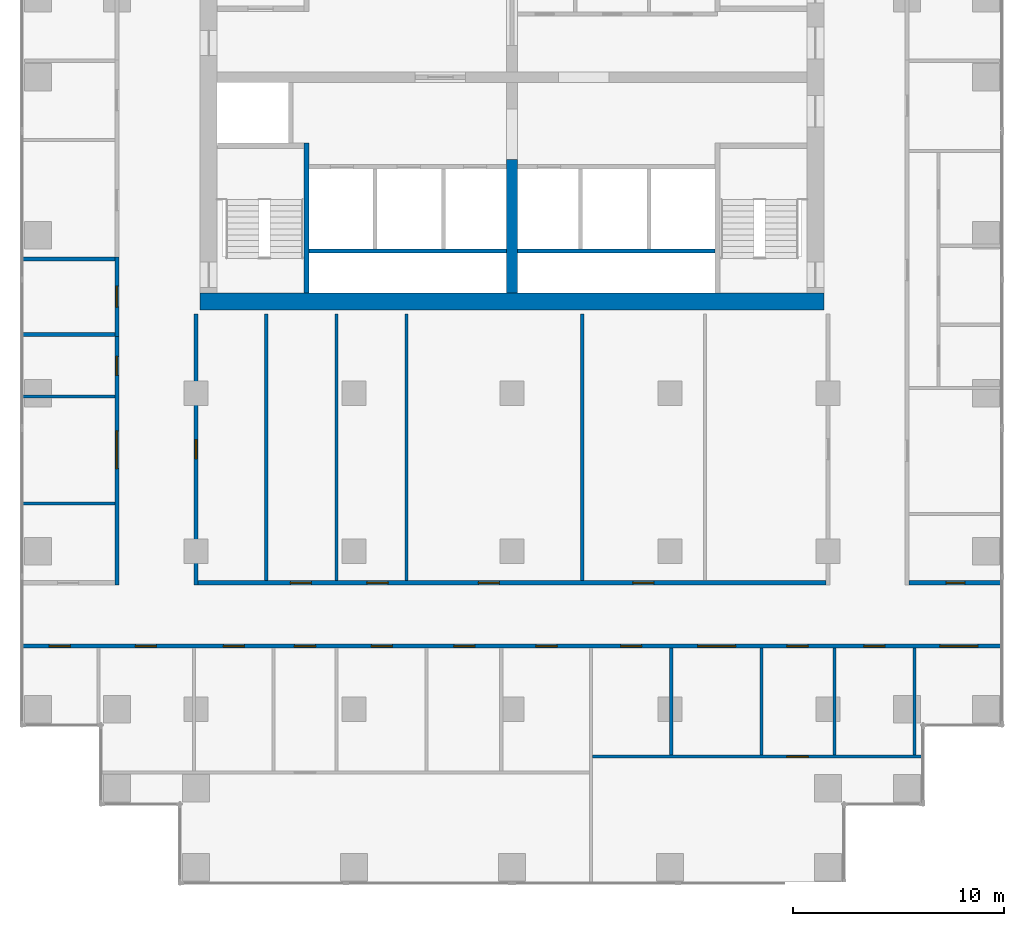
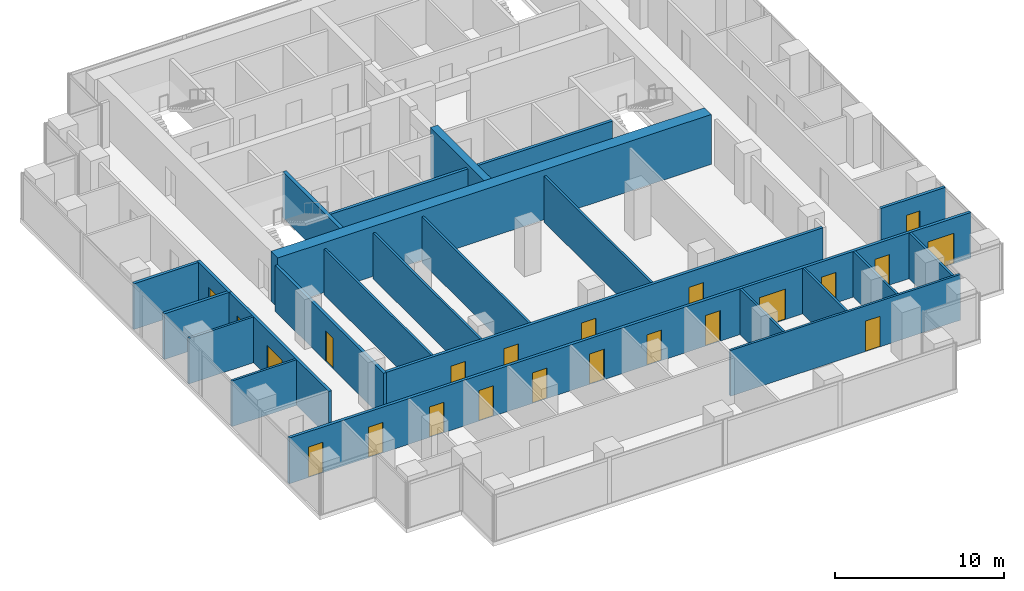
# One storey, part 7 of 11: 24 walls, 22 doors, 22 openings.
"""IFC4 building model written with IfcOpenShell, lengths in metres."""

from ifc_helpers import new_model, si_unit, direction, frame, frame_2d, origin, place, context, subcontext, project, spatial, rectangle, extrude, material, layer, layer_set, type_object, element, fill, save


model = new_model("IFC4")

# Units and contexts
model_context = context("Model", 3, precision=1e-05, world=origin(), true_north=direction((0.0, 1.0)))
body_context = subcontext(model_context, "Body", "Model", "MODEL_VIEW")
ifc_project = project(units=[si_unit("LENGTHUNIT", "METRE"), si_unit("AREAUNIT", "SQUARE_METRE"), si_unit("VOLUMEUNIT", "CUBIC_METRE"), si_unit("PLANEANGLEUNIT", "RADIAN"), si_unit("MASSUNIT", "GRAM", prefix="KILO")], contexts=[model_context])

# Site, building, storey
site_placement = place(None, origin())
site = spatial("IfcSite", under=ifc_project, at=site_placement, CompositionType="ELEMENT")
building_placement = place(site_placement, origin())
building = spatial("IfcBuilding", under=site, at=building_placement, Name="Pilkhan Gate Tower", CompositionType="ELEMENT")
storey_placement = place(building_placement, frame((0.0, 0.0, 125.199951171875)))
storey = spatial("IfcBuildingStorey", under=building, at=storey_placement, Name="L31", CompositionType="ELEMENT", Elevation=125.199951171875)

# Wall
ifc_material_1 = material(Name="Concrete C60/75", Category="concrete")
ifc_layer_1 = layer(ifc_material_1, 0.800048828125)
ifc_layer_set_1 = layer_set([ifc_layer_1], Name="Core wall CW800 C60/75")
wall_type_1 = type_object("IfcWallType", Name="Core wall CW800 C60/75", PredefinedType="SHEAR", material=ifc_layer_set_1)
wall_1_placement = place(storey_placement, frame((60.199951171875, 71.85009765625, 0.0), z_axis=(0.0, 0.0, 1.0), x_axis=(1.0, 0.0, 0.0)))
element("IfcWall", 1, at=wall_1_placement, inside=storey, type_object=wall_type_1, Name="Core wall S L31", PredefinedType="SHEAR", context=body_context, shape_type="SweptSolid", body=[
    extrude(rectangle(XDim=29.60009765625, YDim=0.800048828125, at=frame_2d((14.800048828125, 0.0))), origin(), (0.0, 0.0, 1.0), 3.60009765625),
])

# Wall, openings, doors
ifc_material_2 = material(Name="Dense blockwork", Category="masonry")
ifc_layer_2 = layer(ifc_material_2, 0.199951171875)
ifc_layer_set_2 = layer_set([ifc_layer_2], Name="Corridor wall FW200")
wall_type_2 = type_object("IfcWallType", Name="Corridor wall FW200", PredefinedType="PARTITIONING", material=ifc_layer_set_2)
wall_2_placement = place(storey_placement, frame((51.735107421875, 55.5, 0.0), z_axis=(0.0, 0.0, 1.0), x_axis=(1.0, 0.0, 0.0)))
wall_2 = element("IfcWall", 2, at=wall_2_placement, inside=storey, type_object=wall_type_2, Name="Partition L31", PredefinedType="PARTITIONING", context=body_context, shape_type="SweptSolid", body=[
    extrude(rectangle(XDim=46.52978515625, YDim=0.199951171875, at=frame_2d((23.264892578125, 0.0))), origin(), (0.0, 0.0, 1.0), 3.300048828125),
])
opening_1_placement = place(wall_2_placement, frame((12.93994140625, 0.0, 0.0)))
opening_1 = element("IfcOpeningElement", 3, at=opening_1_placement, cuts=wall_2, Name="Opening L31-06", PredefinedType="OPENING", context=body_context, shape_type="SweptSolid", body=[
    extrude(rectangle(XDim=1.0, YDim=2.199951171875, at=frame_2d((0.5, 1.10009765625))), frame((0.0, 0.10986328125, 0.0), z_axis=(0.0, -1.0, 0.0), x_axis=(1.0, 0.0, 0.0)), (0.0, 0.0, 1.0), 0.219970703125),
])
opening_2_placement = place(wall_2_placement, frame((36.31494140625, 0.0, 0.0)))
opening_2 = element("IfcOpeningElement", 4, at=opening_2_placement, cuts=wall_2, Name="Opening L31-07", PredefinedType="OPENING", context=body_context, shape_type="SweptSolid", body=[
    extrude(rectangle(XDim=1.0, YDim=2.199951171875, at=frame_2d((0.5, 1.10009765625))), frame((0.0, 0.10986328125, 0.0), z_axis=(0.0, -1.0, 0.0), x_axis=(1.0, 0.0, 0.0)), (0.0, 0.0, 1.0), 0.219970703125),
])
opening_3_placement = place(wall_2_placement, frame((1.300048828125, 0.0, 0.0)))
opening_3 = element("IfcOpeningElement", 5, at=opening_3_placement, cuts=wall_2, Name="Opening L31-16", PredefinedType="OPENING", context=body_context, shape_type="SweptSolid", body=[
    extrude(rectangle(XDim=1.0, YDim=2.199951171875, at=frame_2d((0.5, 1.10009765625))), frame((0.0, 0.10986328125, 0.0), z_axis=(0.0, -1.0, 0.0), x_axis=(1.0, 0.0, 0.0)), (0.0, 0.0, 1.0), 0.219970703125),
])
opening_4_placement = place(wall_2_placement, frame((5.387939453125, 0.0, 0.0)))
opening_4 = element("IfcOpeningElement", 6, at=opening_4_placement, cuts=wall_2, Name="Opening L31-17", PredefinedType="OPENING", context=body_context, shape_type="SweptSolid", body=[
    extrude(rectangle(XDim=1.0, YDim=2.199951171875, at=frame_2d((0.5, 1.10009765625))), frame((0.0, 0.10986328125, 0.0), z_axis=(0.0, -1.0, 0.0), x_axis=(1.0, 0.0, 0.0)), (0.0, 0.0, 1.0), 0.219970703125),
])
opening_5_placement = place(wall_2_placement, frame((9.56689453125, 0.0, 0.0)))
opening_5 = element("IfcOpeningElement", 7, at=opening_5_placement, cuts=wall_2, Name="Opening L31-18", PredefinedType="OPENING", context=body_context, shape_type="SweptSolid", body=[
    extrude(rectangle(XDim=1.0, YDim=2.199951171875, at=frame_2d((0.5, 1.10009765625))), frame((0.0, 0.10986328125, 0.0), z_axis=(0.0, -1.0, 0.0), x_axis=(1.0, 0.0, 0.0)), (0.0, 0.0, 1.0), 0.219970703125),
])
opening_6_placement = place(wall_2_placement, frame((16.590087890625, 0.0, 0.0)))
opening_6 = element("IfcOpeningElement", 8, at=opening_6_placement, cuts=wall_2, Name="Opening L31-19", PredefinedType="OPENING", context=body_context, shape_type="SweptSolid", body=[
    extrude(rectangle(XDim=1.0, YDim=2.199951171875, at=frame_2d((0.5, 1.10009765625))), frame((0.0, 0.10986328125, 0.0), z_axis=(0.0, -1.0, 0.0), x_axis=(1.0, 0.0, 0.0)), (0.0, 0.0, 1.0), 0.219970703125),
])
opening_7_placement = place(wall_2_placement, frame((20.501953125, 0.0, 0.0)))
opening_7 = element("IfcOpeningElement", 9, at=opening_7_placement, cuts=wall_2, Name="Opening L31-20", PredefinedType="OPENING", context=body_context, shape_type="SweptSolid", body=[
    extrude(rectangle(XDim=1.0, YDim=2.199951171875, at=frame_2d((0.5, 1.10009765625))), frame((0.0, 0.10986328125, 0.0), z_axis=(0.0, -1.0, 0.0), x_axis=(1.0, 0.0, 0.0)), (0.0, 0.0, 1.0), 0.219970703125),
])
opening_8_placement = place(wall_2_placement, frame((24.403076171875, 0.0, 0.0)))
opening_8 = element("IfcOpeningElement", 10, at=opening_8_placement, cuts=wall_2, Name="Opening L31-21", PredefinedType="OPENING", context=body_context, shape_type="SweptSolid", body=[
    extrude(rectangle(XDim=1.0, YDim=2.199951171875, at=frame_2d((0.5, 1.10009765625))), frame((0.0, 0.10986328125, 0.0), z_axis=(0.0, -1.0, 0.0), x_axis=(1.0, 0.0, 0.0)), (0.0, 0.0, 1.0), 0.219970703125),
])
opening_9_placement = place(wall_2_placement, frame((28.4150390625, 0.0, 0.0)))
opening_9 = element("IfcOpeningElement", 11, at=opening_9_placement, cuts=wall_2, Name="Opening L31-23", PredefinedType="OPENING", context=body_context, shape_type="SweptSolid", body=[
    extrude(rectangle(XDim=1.0, YDim=2.199951171875, at=frame_2d((0.5, 1.10009765625))), frame((0.0, 0.10986328125, 0.0), z_axis=(0.0, -1.0, 0.0), x_axis=(1.0, 0.0, 0.0)), (0.0, 0.0, 1.0), 0.219970703125),
])
opening_10_placement = place(wall_2_placement, frame((32.076904296875, 0.0, 0.0)))
opening_10 = element("IfcOpeningElement", 12, at=opening_10_placement, cuts=wall_2, Name="Opening L31-24", PredefinedType="OPENING", context=body_context, shape_type="SweptSolid", body=[
    extrude(rectangle(XDim=1.800048828125, YDim=2.199951171875, at=frame_2d((0.89990234375, 1.10009765625))), frame((0.0, 0.10986328125, 0.0), z_axis=(0.0, -1.0, 0.0), x_axis=(1.0, 0.0, 0.0)), (0.0, 0.0, 1.0), 0.219970703125),
])
opening_11_placement = place(wall_2_placement, frame((39.965087890625, 0.0, 0.0)))
opening_11 = element("IfcOpeningElement", 13, at=opening_11_placement, cuts=wall_2, Name="Opening L31-25", PredefinedType="OPENING", context=body_context, shape_type="SweptSolid", body=[
    extrude(rectangle(XDim=1.0, YDim=2.199951171875, at=frame_2d((0.5, 1.10009765625))), frame((0.0, 0.10986328125, 0.0), z_axis=(0.0, -1.0, 0.0), x_axis=(1.0, 0.0, 0.0)), (0.0, 0.0, 1.0), 0.219970703125),
])
opening_12_placement = place(wall_2_placement, frame((43.576904296875, 0.0, 0.0)))
opening_12 = element("IfcOpeningElement", 14, at=opening_12_placement, cuts=wall_2, Name="Opening L31-26", PredefinedType="OPENING", context=body_context, shape_type="SweptSolid", body=[
    extrude(rectangle(XDim=1.800048828125, YDim=2.199951171875, at=frame_2d((0.89990234375, 1.10009765625))), frame((0.0, 0.10986328125, 0.0), z_axis=(0.0, -1.0, 0.0), x_axis=(1.0, 0.0, 0.0)), (0.0, 0.0, 1.0), 0.219970703125),
])
ifc_material_3 = material(Name="Timber glazed double door, 30 minute fire resisting", Category="wood")
door_type_1 = type_object("IfcDoorType", Name="Double door D04 1800x2200", OperationType="DOUBLE_DOOR_SINGLE_SWING", PredefinedType="DOOR", material=ifc_material_3)
door_1_placement = place(opening_10_placement, origin())
door_1 = element("IfcDoor", 15, at=door_1_placement, inside=storey, type_object=door_type_1, Name="Double door", OperationType="DOUBLE_DOOR_SINGLE_SWING", OverallHeight=2.199951171875, OverallWidth=1.800048828125, PredefinedType="DOOR", context=body_context, shape_type="SweptSolid", body=[
    extrude(rectangle(XDim=1.800048828125, YDim=2.199951171875, at=frame_2d((0.89990234375, 1.10009765625))), frame((0.0, 0.02490234375, 0.0), z_axis=(0.0, -1.0, 0.0), x_axis=(1.0, 0.0, 0.0)), (0.0, 0.0, 1.0), 0.050048828125),
])
fill(opening_10, door_1)
door_2_placement = place(opening_12_placement, origin())
door_2 = element("IfcDoor", 16, at=door_2_placement, inside=storey, type_object=door_type_1, Name="Double door", OperationType="DOUBLE_DOOR_SINGLE_SWING", OverallHeight=2.199951171875, OverallWidth=1.800048828125, PredefinedType="DOOR", context=body_context, shape_type="SweptSolid", body=[
    extrude(rectangle(XDim=1.800048828125, YDim=2.199951171875, at=frame_2d((0.89990234375, 1.10009765625))), frame((0.0, 0.02490234375, 0.0), z_axis=(0.0, -1.0, 0.0), x_axis=(1.0, 0.0, 0.0)), (0.0, 0.0, 1.0), 0.050048828125),
])
fill(opening_12, door_2)
ifc_material_4 = material(Name="Timber flush door, 30 minute fire resisting", Category="wood")
door_type_2 = type_object("IfcDoorType", Name="Room door D03 1000x2200", OperationType="SINGLE_SWING_LEFT", PredefinedType="DOOR", material=ifc_material_4)
door_3_placement = place(opening_1_placement, origin())
door_3 = element("IfcDoor", 17, at=door_3_placement, inside=storey, type_object=door_type_2, Name="Room door", OperationType="SINGLE_SWING_RIGHT", OverallHeight=2.199951171875, OverallWidth=1.0, PredefinedType="DOOR", context=body_context, shape_type="SweptSolid", body=[
    extrude(rectangle(XDim=1.0, YDim=2.199951171875, at=frame_2d((0.5, 1.10009765625))), frame((0.0, 0.02490234375, 0.0), z_axis=(0.0, -1.0, 0.0), x_axis=(1.0, 0.0, 0.0)), (0.0, 0.0, 1.0), 0.050048828125),
])
fill(opening_1, door_3)
door_4_placement = place(opening_2_placement, origin())
door_4 = element("IfcDoor", 18, at=door_4_placement, inside=storey, type_object=door_type_2, Name="Room door", OperationType="SINGLE_SWING_LEFT", OverallHeight=2.199951171875, OverallWidth=1.0, PredefinedType="DOOR", context=body_context, shape_type="SweptSolid", body=[
    extrude(rectangle(XDim=1.0, YDim=2.199951171875, at=frame_2d((0.5, 1.10009765625))), frame((0.0, 0.02490234375, 0.0), z_axis=(0.0, -1.0, 0.0), x_axis=(1.0, 0.0, 0.0)), (0.0, 0.0, 1.0), 0.050048828125),
])
fill(opening_2, door_4)
door_5_placement = place(opening_3_placement, origin())
door_5 = element("IfcDoor", 19, at=door_5_placement, inside=storey, type_object=door_type_2, Name="Room door", OperationType="SINGLE_SWING_LEFT", OverallHeight=2.199951171875, OverallWidth=1.0, PredefinedType="DOOR", context=body_context, shape_type="SweptSolid", body=[
    extrude(rectangle(XDim=1.0, YDim=2.199951171875, at=frame_2d((0.5, 1.10009765625))), frame((0.0, 0.02490234375, 0.0), z_axis=(0.0, -1.0, 0.0), x_axis=(1.0, 0.0, 0.0)), (0.0, 0.0, 1.0), 0.050048828125),
])
fill(opening_3, door_5)
door_6_placement = place(opening_4_placement, origin())
door_6 = element("IfcDoor", 20, at=door_6_placement, inside=storey, type_object=door_type_2, Name="Room door", OperationType="SINGLE_SWING_RIGHT", OverallHeight=2.199951171875, OverallWidth=1.0, PredefinedType="DOOR", context=body_context, shape_type="SweptSolid", body=[
    extrude(rectangle(XDim=1.0, YDim=2.199951171875, at=frame_2d((0.5, 1.10009765625))), frame((0.0, 0.02490234375, 0.0), z_axis=(0.0, -1.0, 0.0), x_axis=(1.0, 0.0, 0.0)), (0.0, 0.0, 1.0), 0.050048828125),
])
fill(opening_4, door_6)
door_7_placement = place(opening_5_placement, origin())
door_7 = element("IfcDoor", 21, at=door_7_placement, inside=storey, type_object=door_type_2, Name="Room door", OperationType="SINGLE_SWING_RIGHT", OverallHeight=2.199951171875, OverallWidth=1.0, PredefinedType="DOOR", context=body_context, shape_type="SweptSolid", body=[
    extrude(rectangle(XDim=1.0, YDim=2.199951171875, at=frame_2d((0.5, 1.10009765625))), frame((0.0, 0.02490234375, 0.0), z_axis=(0.0, -1.0, 0.0), x_axis=(1.0, 0.0, 0.0)), (0.0, 0.0, 1.0), 0.050048828125),
])
fill(opening_5, door_7)
door_8_placement = place(opening_6_placement, origin())
door_8 = element("IfcDoor", 22, at=door_8_placement, inside=storey, type_object=door_type_2, Name="Room door", OperationType="SINGLE_SWING_LEFT", OverallHeight=2.199951171875, OverallWidth=1.0, PredefinedType="DOOR", context=body_context, shape_type="SweptSolid", body=[
    extrude(rectangle(XDim=1.0, YDim=2.199951171875, at=frame_2d((0.5, 1.10009765625))), frame((0.0, 0.02490234375, 0.0), z_axis=(0.0, -1.0, 0.0), x_axis=(1.0, 0.0, 0.0)), (0.0, 0.0, 1.0), 0.050048828125),
])
fill(opening_6, door_8)
door_9_placement = place(opening_7_placement, origin())
door_9 = element("IfcDoor", 23, at=door_9_placement, inside=storey, type_object=door_type_2, Name="Room door", OperationType="SINGLE_SWING_LEFT", OverallHeight=2.199951171875, OverallWidth=1.0, PredefinedType="DOOR", context=body_context, shape_type="SweptSolid", body=[
    extrude(rectangle(XDim=1.0, YDim=2.199951171875, at=frame_2d((0.5, 1.10009765625))), frame((0.0, 0.02490234375, 0.0), z_axis=(0.0, -1.0, 0.0), x_axis=(1.0, 0.0, 0.0)), (0.0, 0.0, 1.0), 0.050048828125),
])
fill(opening_7, door_9)
door_10_placement = place(opening_8_placement, origin())
door_10 = element("IfcDoor", 24, at=door_10_placement, inside=storey, type_object=door_type_2, Name="Room door", OperationType="SINGLE_SWING_LEFT", OverallHeight=2.199951171875, OverallWidth=1.0, PredefinedType="DOOR", context=body_context, shape_type="SweptSolid", body=[
    extrude(rectangle(XDim=1.0, YDim=2.199951171875, at=frame_2d((0.5, 1.10009765625))), frame((0.0, 0.02490234375, 0.0), z_axis=(0.0, -1.0, 0.0), x_axis=(1.0, 0.0, 0.0)), (0.0, 0.0, 1.0), 0.050048828125),
])
fill(opening_8, door_10)
door_11_placement = place(opening_9_placement, origin())
door_11 = element("IfcDoor", 25, at=door_11_placement, inside=storey, type_object=door_type_2, Name="Room door", OperationType="SINGLE_SWING_LEFT", OverallHeight=2.199951171875, OverallWidth=1.0, PredefinedType="DOOR", context=body_context, shape_type="SweptSolid", body=[
    extrude(rectangle(XDim=1.0, YDim=2.199951171875, at=frame_2d((0.5, 1.10009765625))), frame((0.0, 0.02490234375, 0.0), z_axis=(0.0, -1.0, 0.0), x_axis=(1.0, 0.0, 0.0)), (0.0, 0.0, 1.0), 0.050048828125),
])
fill(opening_9, door_11)
door_12_placement = place(opening_11_placement, origin())
door_12 = element("IfcDoor", 26, at=door_12_placement, inside=storey, type_object=door_type_2, Name="Room door", OperationType="SINGLE_SWING_LEFT", OverallHeight=2.199951171875, OverallWidth=1.0, PredefinedType="DOOR", context=body_context, shape_type="SweptSolid", body=[
    extrude(rectangle(XDim=1.0, YDim=2.199951171875, at=frame_2d((0.5, 1.10009765625))), frame((0.0, 0.02490234375, 0.0), z_axis=(0.0, -1.0, 0.0), x_axis=(1.0, 0.0, 0.0)), (0.0, 0.0, 1.0), 0.050048828125),
])
fill(opening_11, door_12)

wall_3_placement = place(storey_placement, frame((60.10009765625, 58.5, 0.0), z_axis=(0.0, 0.0, 1.0), x_axis=(1.0, 0.0, 0.0)))
wall_3 = element("IfcWall", 27, at=wall_3_placement, inside=storey, type_object=wall_type_2, Name="Partition L31", PredefinedType="PARTITIONING", context=body_context, shape_type="SweptSolid", body=[
    extrude(rectangle(XDim=29.7998046875, YDim=0.199951171875, at=frame_2d((14.89990234375, 0.0))), origin(), (0.0, 0.0, 1.0), 3.300048828125),
])
opening_13_placement = place(wall_3_placement, frame((4.383056640625, 0.0, 0.0)))
opening_13 = element("IfcOpeningElement", 28, at=opening_13_placement, cuts=wall_3, Name="Opening L31-40", PredefinedType="OPENING", context=body_context, shape_type="SweptSolid", body=[
    extrude(rectangle(XDim=1.0, YDim=2.199951171875, at=frame_2d((0.5, 1.10009765625))), frame((0.0, 0.10986328125, 0.0), z_axis=(0.0, -1.0, 0.0), x_axis=(1.0, 0.0, 0.0)), (0.0, 0.0, 1.0), 0.219970703125),
])
opening_14_placement = place(wall_3_placement, frame((8.01708984375, 0.0, 0.0)))
opening_14 = element("IfcOpeningElement", 29, at=opening_14_placement, cuts=wall_3, Name="Opening L31-41", PredefinedType="OPENING", context=body_context, shape_type="SweptSolid", body=[
    extrude(rectangle(XDim=1.0, YDim=2.199951171875, at=frame_2d((0.5, 1.10009765625))), frame((0.0, 0.10986328125, 0.0), z_axis=(0.0, -1.0, 0.0), x_axis=(1.0, 0.0, 0.0)), (0.0, 0.0, 1.0), 0.219970703125),
])
opening_15_placement = place(wall_3_placement, frame((13.300048828125, 0.0, 0.0)))
opening_15 = element("IfcOpeningElement", 30, at=opening_15_placement, cuts=wall_3, Name="Opening L31-42", PredefinedType="OPENING", context=body_context, shape_type="SweptSolid", body=[
    extrude(rectangle(XDim=1.0, YDim=2.199951171875, at=frame_2d((0.5, 1.10009765625))), frame((0.0, 0.10986328125, 0.0), z_axis=(0.0, -1.0, 0.0), x_axis=(1.0, 0.0, 0.0)), (0.0, 0.0, 1.0), 0.219970703125),
])
opening_16_placement = place(wall_3_placement, frame((20.633056640625, 0.0, 0.0)))
opening_16 = element("IfcOpeningElement", 31, at=opening_16_placement, cuts=wall_3, Name="Opening L31-43", PredefinedType="OPENING", context=body_context, shape_type="SweptSolid", body=[
    extrude(rectangle(XDim=1.0, YDim=2.199951171875, at=frame_2d((0.5, 1.10009765625))), frame((0.0, 0.10986328125, 0.0), z_axis=(0.0, -1.0, 0.0), x_axis=(1.0, 0.0, 0.0)), (0.0, 0.0, 1.0), 0.219970703125),
])
door_13_placement = place(opening_13_placement, origin())
door_13 = element("IfcDoor", 32, at=door_13_placement, inside=storey, type_object=door_type_2, Name="Room door", OperationType="SINGLE_SWING_LEFT", OverallHeight=2.199951171875, OverallWidth=1.0, PredefinedType="DOOR", context=body_context, shape_type="SweptSolid", body=[
    extrude(rectangle(XDim=1.0, YDim=2.199951171875, at=frame_2d((0.5, 1.10009765625))), frame((0.0, 0.02490234375, 0.0), z_axis=(0.0, -1.0, 0.0), x_axis=(1.0, 0.0, 0.0)), (0.0, 0.0, 1.0), 0.050048828125),
])
fill(opening_13, door_13)
door_14_placement = place(opening_14_placement, origin())
door_14 = element("IfcDoor", 33, at=door_14_placement, inside=storey, type_object=door_type_2, Name="Room door", OperationType="SINGLE_SWING_RIGHT", OverallHeight=2.199951171875, OverallWidth=1.0, PredefinedType="DOOR", context=body_context, shape_type="SweptSolid", body=[
    extrude(rectangle(XDim=1.0, YDim=2.199951171875, at=frame_2d((0.5, 1.10009765625))), frame((0.0, 0.02490234375, 0.0), z_axis=(0.0, -1.0, 0.0), x_axis=(1.0, 0.0, 0.0)), (0.0, 0.0, 1.0), 0.050048828125),
])
fill(opening_14, door_14)
door_15_placement = place(opening_15_placement, origin())
door_15 = element("IfcDoor", 34, at=door_15_placement, inside=storey, type_object=door_type_2, Name="Room door", OperationType="SINGLE_SWING_LEFT", OverallHeight=2.199951171875, OverallWidth=1.0, PredefinedType="DOOR", context=body_context, shape_type="SweptSolid", body=[
    extrude(rectangle(XDim=1.0, YDim=2.199951171875, at=frame_2d((0.5, 1.10009765625))), frame((0.0, 0.02490234375, 0.0), z_axis=(0.0, -1.0, 0.0), x_axis=(1.0, 0.0, 0.0)), (0.0, 0.0, 1.0), 0.050048828125),
])
fill(opening_15, door_15)
door_16_placement = place(opening_16_placement, origin())
door_16 = element("IfcDoor", 35, at=door_16_placement, inside=storey, type_object=door_type_2, Name="Room door", OperationType="SINGLE_SWING_LEFT", OverallHeight=2.199951171875, OverallWidth=1.0, PredefinedType="DOOR", context=body_context, shape_type="SweptSolid", body=[
    extrude(rectangle(XDim=1.0, YDim=2.199951171875, at=frame_2d((0.5, 1.10009765625))), frame((0.0, 0.02490234375, 0.0), z_axis=(0.0, -1.0, 0.0), x_axis=(1.0, 0.0, 0.0)), (0.0, 0.0, 1.0), 0.050048828125),
])
fill(opening_16, door_16)

# Wall, opening, door
wall_4_placement = place(storey_placement, frame((93.85009765625, 58.5, 0.0), z_axis=(0.0, 0.0, 1.0), x_axis=(1.0, 0.0, 0.0)))
wall_4 = element("IfcWall", 36, at=wall_4_placement, inside=storey, type_object=wall_type_2, Name="Partition L31", PredefinedType="PARTITIONING", context=body_context, shape_type="SweptSolid", body=[
    extrude(rectangle(XDim=4.414794921875, YDim=0.199951171875, at=frame_2d((2.20751953125, 0.0))), origin(), (0.0, 0.0, 1.0), 3.300048828125),
])
opening_17_placement = place(wall_4_placement, frame((1.75, 0.0, 0.0)))
opening_17 = element("IfcOpeningElement", 37, at=opening_17_placement, cuts=wall_4, Name="Opening L31-36", PredefinedType="OPENING", context=body_context, shape_type="SweptSolid", body=[
    extrude(rectangle(XDim=0.89990234375, YDim=2.199951171875, at=frame_2d((0.449951171875, 1.10009765625))), frame((0.0, 0.10986328125, 0.0), z_axis=(0.0, -1.0, 0.0), x_axis=(1.0, 0.0, 0.0)), (0.0, 0.0, 1.0), 0.219970703125),
])
ifc_material_5 = material(Name="Timber flush door, 60 minute fire resisting, self-closing", Category="wood")
door_type_3 = type_object("IfcDoorType", Name="Store door D05 900x2200", OperationType="SINGLE_SWING_LEFT", PredefinedType="DOOR", material=ifc_material_5)
door_17_placement = place(opening_17_placement, origin())
door_17 = element("IfcDoor", 38, at=door_17_placement, inside=storey, type_object=door_type_3, Name="Store door", OperationType="SINGLE_SWING_RIGHT", OverallHeight=2.199951171875, OverallWidth=0.89990234375, PredefinedType="DOOR", context=body_context, shape_type="SweptSolid", body=[
    extrude(rectangle(XDim=0.89990234375, YDim=2.199951171875, at=frame_2d((0.449951171875, 1.10009765625))), frame((0.0, 0.02490234375, 0.0), z_axis=(0.0, -1.0, 0.0), x_axis=(1.0, 0.0, 0.0)), (0.0, 0.0, 1.0), 0.050048828125),
])
fill(opening_17, door_17)

# Wall, openings, doors
wall_5_placement = place(storey_placement, frame((56.25, 58.39990234375, 0.0), z_axis=(0.0, 0.0, 1.0), x_axis=(0.0, 1.0, 0.0)))
wall_5 = element("IfcWall", 39, at=wall_5_placement, inside=storey, type_object=wall_type_2, Name="Partition L31", PredefinedType="PARTITIONING", context=body_context, shape_type="SweptSolid", body=[
    extrude(rectangle(XDim=11.88720703125, YDim=0.199951171875, at=frame_2d((5.943603515625, 0.0))), origin(), (0.0, 0.0, 1.0), 3.300048828125),
])
opening_18_placement = place(wall_5_placement, frame((5.51611328125, 0.0, 0.0)))
opening_18 = element("IfcOpeningElement", 40, at=opening_18_placement, cuts=wall_5, Name="Opening L31-29", PredefinedType="OPENING", context=body_context, shape_type="SweptSolid", body=[
    extrude(rectangle(XDim=1.800048828125, YDim=2.199951171875, at=frame_2d((0.89990234375, 1.10009765625))), frame((0.0, 0.10986328125, 0.0), z_axis=(0.0, -1.0, 0.0), x_axis=(1.0, 0.0, 0.0)), (0.0, 0.0, 1.0), 0.219970703125),
])
opening_19_placement = place(wall_5_placement, frame((9.949951171875, 0.0, 0.0)))
opening_19 = element("IfcOpeningElement", 41, at=opening_19_placement, cuts=wall_5, Name="Opening L31-30", PredefinedType="OPENING", context=body_context, shape_type="SweptSolid", body=[
    extrude(rectangle(XDim=0.89990234375, YDim=2.199951171875, at=frame_2d((0.449951171875, 1.10009765625))), frame((0.0, 0.10986328125, 0.0), z_axis=(0.0, -1.0, 0.0), x_axis=(1.0, 0.0, 0.0)), (0.0, 0.0, 1.0), 0.219970703125),
])
door_18_placement = place(opening_18_placement, origin())
door_18 = element("IfcDoor", 42, at=door_18_placement, inside=storey, type_object=door_type_1, Name="Double door", OperationType="DOUBLE_DOOR_SINGLE_SWING", OverallHeight=2.199951171875, OverallWidth=1.800048828125, PredefinedType="DOOR", context=body_context, shape_type="SweptSolid", body=[
    extrude(rectangle(XDim=1.800048828125, YDim=2.199951171875, at=frame_2d((0.89990234375, 1.10009765625))), frame((0.0, 0.02490234375, 0.0), z_axis=(0.0, -1.0, 0.0), x_axis=(1.0, 0.0, 0.0)), (0.0, 0.0, 1.0), 0.050048828125),
])
fill(opening_18, door_18)
door_19_placement = place(opening_19_placement, origin())
door_19 = element("IfcDoor", 43, at=door_19_placement, inside=storey, type_object=door_type_3, Name="Store door", OperationType="SINGLE_SWING_RIGHT", OverallHeight=2.199951171875, OverallWidth=0.89990234375, PredefinedType="DOOR", context=body_context, shape_type="SweptSolid", body=[
    extrude(rectangle(XDim=0.89990234375, YDim=2.199951171875, at=frame_2d((0.449951171875, 1.10009765625))), frame((0.0, 0.02490234375, 0.0), z_axis=(0.0, -1.0, 0.0), x_axis=(1.0, 0.0, 0.0)), (0.0, 0.0, 1.0), 0.050048828125),
])
fill(opening_19, door_19)

# Wall, opening, door
wall_6_placement = place(storey_placement, frame((60.0, 58.39990234375, 0.0), z_axis=(0.0, 0.0, 1.0), x_axis=(0.0, 1.0, 0.0)))
wall_6 = element("IfcWall", 44, at=wall_6_placement, inside=storey, type_object=wall_type_2, Name="Partition L31", PredefinedType="PARTITIONING", context=body_context, shape_type="SweptSolid", body=[
    extrude(rectangle(XDim=12.85009765625, YDim=0.199951171875, at=frame_2d((6.425048828125, 0.0))), origin(), (0.0, 0.0, 1.0), 3.300048828125),
])
opening_20_placement = place(wall_6_placement, frame((6.0, 0.0, 0.0)))
opening_20 = element("IfcOpeningElement", 45, at=opening_20_placement, cuts=wall_6, Name="Opening L31-39", PredefinedType="OPENING", context=body_context, shape_type="SweptSolid", body=[
    extrude(rectangle(XDim=0.89990234375, YDim=2.199951171875, at=frame_2d((0.449951171875, 1.10009765625))), frame((0.0, 0.10986328125, 0.0), z_axis=(0.0, -1.0, 0.0), x_axis=(1.0, 0.0, 0.0)), (0.0, 0.0, 1.0), 0.219970703125),
])
door_20_placement = place(opening_20_placement, origin())
door_20 = element("IfcDoor", 46, at=door_20_placement, inside=storey, type_object=door_type_3, Name="Store door", OperationType="SINGLE_SWING_LEFT", OverallHeight=2.199951171875, OverallWidth=0.89990234375, PredefinedType="DOOR", context=body_context, shape_type="SweptSolid", body=[
    extrude(rectangle(XDim=0.89990234375, YDim=2.199951171875, at=frame_2d((0.449951171875, 1.10009765625))), frame((0.0, 0.02490234375, 0.0), z_axis=(0.0, -1.0, 0.0), x_axis=(1.0, 0.0, 0.0)), (0.0, 0.0, 1.0), 0.050048828125),
])
fill(opening_20, door_20)

# Walls
ifc_layer_3 = layer(ifc_material_2, 0.199951171875)
ifc_layer_set_3 = layer_set([ifc_layer_3], Name="Lobby wall LW200")
wall_type_3 = type_object("IfcWallType", Name="Lobby wall LW200", PredefinedType="PARTITIONING", material=ifc_layer_set_3)
for number, where, z_axis, x_axis, name in (
    (47, (51.735107421875, 70.287109375, 0.0), (0.0, 0.0, 1.0), (1.0, 0.0, 0.0), "Partition L31"),
    (48, (51.735107421875, 73.864990234375, 0.0), (0.0, 0.0, 1.0), (1.0, 0.0, 0.0), "Partition L31"),
):
    element("IfcWall", number, at=place(storey_placement, frame(where, z_axis=z_axis, x_axis=x_axis)), inside=storey, type_object=wall_type_3, Name=name, PredefinedType="PARTITIONING", context=body_context, shape_type="SweptSolid", body=[
        extrude(rectangle(XDim=4.414794921875, YDim=0.199951171875, at=frame_2d((2.20751953125, 0.0))), origin(), (0.0, 0.0, 1.0), 3.300048828125),
    ])

# Wall, opening, door
wall_7_placement = place(storey_placement, frame((56.25, 70.18701171875, 0.0), z_axis=(0.0, 0.0, 1.0), x_axis=(0.0, 1.0, 0.0)))
wall_7 = element("IfcWall", 49, at=wall_7_placement, inside=storey, type_object=wall_type_3, Name="Partition L31", PredefinedType="PARTITIONING", context=body_context, shape_type="SweptSolid", body=[
    extrude(rectangle(XDim=3.778076171875, YDim=0.199951171875, at=frame_2d((1.88916015625, 0.0))), origin(), (0.0, 0.0, 1.0), 3.300048828125),
])
opening_21_placement = place(wall_7_placement, frame((1.39990234375, 0.0, 0.0)))
opening_21 = element("IfcOpeningElement", 50, at=opening_21_placement, cuts=wall_7, Name="Opening L31-08", PredefinedType="OPENING", context=body_context, shape_type="SweptSolid", body=[
    extrude(rectangle(XDim=1.0, YDim=2.199951171875, at=frame_2d((0.5, 1.10009765625))), frame((0.0, 0.10986328125, 0.0), z_axis=(0.0, -1.0, 0.0), x_axis=(1.0, 0.0, 0.0)), (0.0, 0.0, 1.0), 0.219970703125),
])
door_21_placement = place(opening_21_placement, origin())
door_21 = element("IfcDoor", 51, at=door_21_placement, inside=storey, type_object=door_type_2, Name="Room door", OperationType="SINGLE_SWING_RIGHT", OverallHeight=2.199951171875, OverallWidth=1.0, PredefinedType="DOOR", context=body_context, shape_type="SweptSolid", body=[
    extrude(rectangle(XDim=1.0, YDim=2.199951171875, at=frame_2d((0.5, 1.10009765625))), frame((0.0, 0.02490234375, 0.0), z_axis=(0.0, -1.0, 0.0), x_axis=(1.0, 0.0, 0.0)), (0.0, 0.0, 1.0), 0.050048828125),
])
fill(opening_21, door_21)

ifc_material_6 = material(Name="Blockwork partition, plastered both sides", Category="masonry")
ifc_layer_4 = layer(ifc_material_6, 0.14990234375)
ifc_layer_set_4 = layer_set([ifc_layer_4], Name="Partition PW150")
wall_type_4 = type_object("IfcWallType", Name="Partition PW150", PredefinedType="PARTITIONING", material=ifc_layer_set_4)
wall_8_placement = place(storey_placement, frame((78.824951171875, 50.25, 0.0), z_axis=(0.0, 0.0, 1.0), x_axis=(1.0, 0.0, 0.0)))
wall_8 = element("IfcWall", 52, at=wall_8_placement, inside=storey, type_object=wall_type_4, Name="Partition L31", PredefinedType="PARTITIONING", context=body_context, shape_type="SweptSolid", body=[
    extrude(rectangle(XDim=15.68994140625, YDim=0.14990234375, at=frame_2d((7.844970703125, 0.0))), origin(), (0.0, 0.0, 1.0), 3.300048828125),
])
opening_22_placement = place(wall_8_placement, frame((9.22509765625, 0.0, 0.0)))
opening_22 = element("IfcOpeningElement", 53, at=opening_22_placement, cuts=wall_8, Name="Opening L31-27", PredefinedType="OPENING", context=body_context, shape_type="SweptSolid", body=[
    extrude(rectangle(XDim=1.0, YDim=2.199951171875, at=frame_2d((0.5, 1.10009765625))), frame((0.0, 0.0849609375, 0.0), z_axis=(0.0, -1.0, 0.0), x_axis=(1.0, 0.0, 0.0)), (0.0, 0.0, 1.0), 0.169921875),
])
door_22_placement = place(opening_22_placement, origin())
door_22 = element("IfcDoor", 54, at=door_22_placement, inside=storey, type_object=door_type_2, Name="Room door", OperationType="SINGLE_SWING_LEFT", OverallHeight=2.199951171875, OverallWidth=1.0, PredefinedType="DOOR", context=body_context, shape_type="SweptSolid", body=[
    extrude(rectangle(XDim=1.0, YDim=2.199951171875, at=frame_2d((0.5, 1.10009765625))), frame((0.0, 0.02490234375, 0.0), z_axis=(0.0, -1.0, 0.0), x_axis=(1.0, 0.0, 0.0)), (0.0, 0.0, 1.0), 0.050048828125),
])
fill(opening_22, door_22)

# Walls
for number, where, z_axis, x_axis, name in (
    (55, (51.735107421875, 62.26611328125, 0.0), (0.0, 0.0, 1.0), (1.0, 0.0, 0.0), "Partition L31"),
    (56, (51.735107421875, 67.35009765625, 0.0), (0.0, 0.0, 1.0), (1.0, 0.0, 0.0), "Partition L31"),
):
    element("IfcWall", number, at=place(storey_placement, frame(where, z_axis=z_axis, x_axis=x_axis)), inside=storey, type_object=wall_type_4, Name=name, PredefinedType="PARTITIONING", context=body_context, shape_type="SweptSolid", body=[
        extrude(rectangle(XDim=4.414794921875, YDim=0.14990234375, at=frame_2d((2.20751953125, 0.0))), origin(), (0.0, 0.0, 1.0), 3.300048828125),
    ])
for number, where, z_axis, x_axis, name in (
    (57, (63.3330078125, 58.60009765625, 0.0), (0.0, 0.0, 1.0), (0.0, 1.0, 0.0), "Partition L31"),
    (58, (66.6669921875, 58.60009765625, 0.0), (0.0, 0.0, 1.0), (0.0, 1.0, 0.0), "Partition L31"),
    (59, (70.0, 58.60009765625, 0.0), (0.0, 0.0, 1.0), (0.0, 1.0, 0.0), "Partition L31"),
    (60, (78.3330078125, 58.60009765625, 0.0), (0.0, 0.0, 1.0), (0.0, 1.0, 0.0), "Partition L31"),
):
    element("IfcWall", number, at=place(storey_placement, frame(where, z_axis=z_axis, x_axis=x_axis)), inside=storey, type_object=wall_type_4, Name=name, PredefinedType="PARTITIONING", context=body_context, shape_type="SweptSolid", body=[
        extrude(rectangle(XDim=12.64990234375, YDim=0.14990234375, at=frame_2d((6.324951171875, 0.0))), origin(), (0.0, 0.0, 1.0), 3.300048828125),
    ])
for number, where, z_axis, x_axis, name in (
    (61, (82.56201171875, 50.324951171875, 0.0), (0.0, 0.0, 1.0), (0.0, 1.0, 0.0), "Partition L31"),
    (62, (86.85009765625, 50.324951171875, 0.0), (0.0, 0.0, 1.0), (0.0, 1.0, 0.0), "Partition L31"),
    (63, (90.300048828125, 50.324951171875, 0.0), (0.0, 0.0, 1.0), (0.0, 1.0, 0.0), "Partition L31"),
    (64, (94.112060546875, 50.324951171875, 0.0), (0.0, 0.0, 1.0), (0.0, 1.0, 0.0), "Partition L31"),
):
    element("IfcWall", number, at=place(storey_placement, frame(where, z_axis=z_axis, x_axis=x_axis)), inside=storey, type_object=wall_type_4, Name=name, PredefinedType="PARTITIONING", context=body_context, shape_type="SweptSolid", body=[
        extrude(rectangle(XDim=5.074951171875, YDim=0.14990234375, at=frame_2d((2.53759765625, 0.0))), origin(), (0.0, 0.0, 1.0), 3.300048828125),
    ])
ifc_material_7 = material(Name="Reinforced blockwork shaft wall, 120 minute fire resisting", Category="masonry")
ifc_layer_5 = layer(ifc_material_7, 0.199951171875)
ifc_layer_set_5 = layer_set([ifc_layer_5], Name="Shaft wall SW200")
wall_type_5 = type_object("IfcWallType", Name="Shaft wall SW200", PredefinedType="PARTITIONING", material=ifc_layer_set_5)
for number, where, z_axis, x_axis, name in (
    (65, (65.375, 74.25, 0.0), (0.0, 0.0, 1.0), (1.0, 0.0, 0.0), "Partition L31"),
    (66, (75.260009765625, 74.25, 0.0), (0.0, 0.0, 1.0), (1.0, 0.0, 0.0), "Partition L31"),
):
    element("IfcWall", number, at=place(storey_placement, frame(where, z_axis=z_axis, x_axis=x_axis)), inside=storey, type_object=wall_type_5, Name=name, PredefinedType="PARTITIONING", context=body_context, shape_type="SweptSolid", body=[
        extrude(rectangle(XDim=9.364990234375, YDim=0.199951171875, at=frame_2d((4.6826171875, 0.0))), origin(), (0.0, 0.0, 1.0), 3.300048828125),
    ])
ifc_layer_6 = layer(ifc_material_1, 0.5)
ifc_layer_set_6 = layer_set([ifc_layer_6], Name="Spine wall SW500 C60/75")
wall_type_6 = type_object("IfcWallType", Name="Spine wall SW500 C60/75", PredefinedType="SHEAR", material=ifc_layer_set_6)
wall_9_placement = place(storey_placement, frame((75.0, 72.25, 0.0), z_axis=(0.0, 0.0, 1.0), x_axis=(0.0, 1.0, 0.0)))
element("IfcWall", 67, at=wall_9_placement, inside=storey, type_object=wall_type_6, Name="Spine wall SP-NS-S1 L31", PredefinedType="SHEAR", context=body_context, shape_type="SweptSolid", body=[
    extrude(rectangle(XDim=6.35009765625, YDim=0.5, at=frame_2d((3.175048828125, 0.0))), origin(), (0.0, 0.0, 1.0), 3.60009765625),
])
ifc_material_8 = material(Name="Reinforced blockwork, 120 minute fire resisting", Category="masonry")
ifc_layer_7 = layer(ifc_material_8, 0.25)
ifc_layer_set_7 = layer_set([ifc_layer_7], Name="Stair enclosure wall SE250")
wall_type_7 = type_object("IfcWallType", Name="Stair enclosure wall SE250", PredefinedType="PARTITIONING", material=ifc_layer_set_7)
wall_10_placement = place(storey_placement, frame((65.25, 72.25, 0.0), z_axis=(0.0, 0.0, 1.0), x_axis=(0.0, 1.0, 0.0)))
element("IfcWall", 68, at=wall_10_placement, inside=storey, type_object=wall_type_7, Name="Partition L31", PredefinedType="PARTITIONING", context=body_context, shape_type="SweptSolid", body=[
    extrude(rectangle(XDim=7.125, YDim=0.25, at=frame_2d((3.5625, 0.0))), origin(), (0.0, 0.0, 1.0), 3.300048828125),
])

save(model, "model.ifc")
